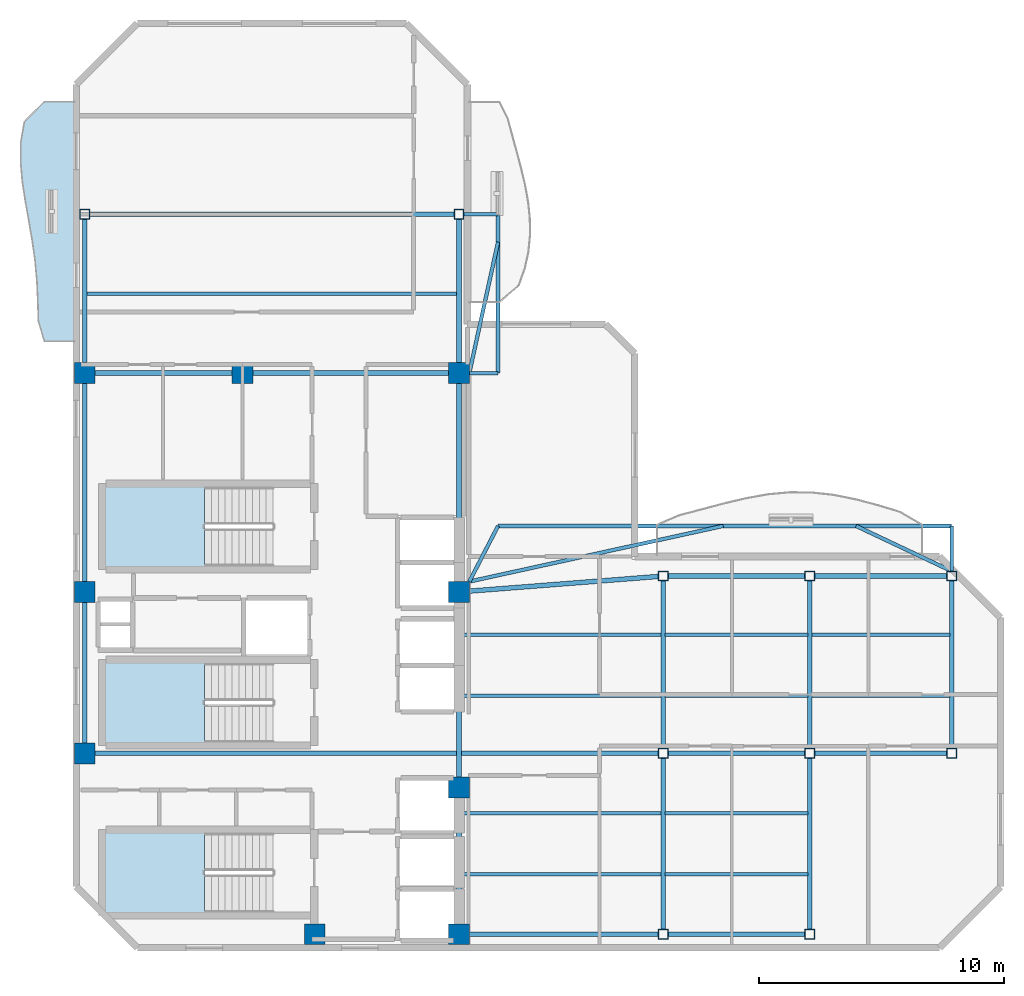
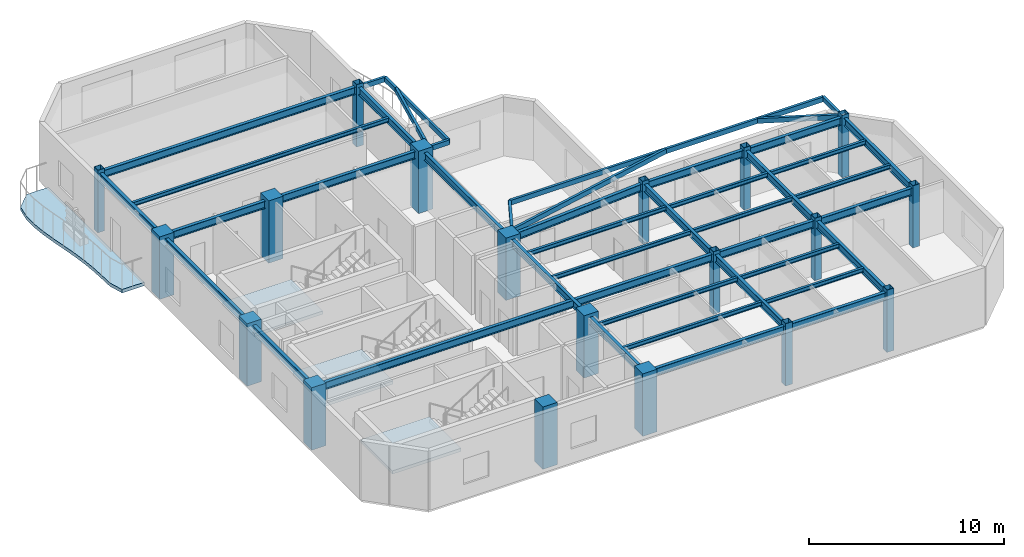
# One storey, part 1 of 7: 43 beams, 19 columns, 4 slabs, 3 elements without a shape of their own.
"""IFC4 building model written with IfcOpenShell, lengths in metres."""

from ifc_helpers import new_model, si_unit, direction, frame, origin, origin_2d, place, context, subcontext, project, spatial, polyline, rectangle, hollow_rectangle, i_section, outline, extrude, material, layer, layer_set, material_profile, profile_set, type_object, element, aggregate, save


model = new_model("IFC4")

# Units and contexts
model_context = context("Model", 3, precision=1e-05, world=origin(), true_north=direction((0.0, 1.0)))
body_context = subcontext(model_context, "Body", "Model", "MODEL_VIEW")
ifc_project = project(units=[si_unit("LENGTHUNIT", "METRE"), si_unit("AREAUNIT", "SQUARE_METRE"), si_unit("VOLUMEUNIT", "CUBIC_METRE"), si_unit("PLANEANGLEUNIT", "RADIAN"), si_unit("MASSUNIT", "GRAM", prefix="KILO")], contexts=[model_context])

# Site, building, storey
site_placement = place(None, origin())
site = spatial("IfcSite", under=ifc_project, at=site_placement, CompositionType="ELEMENT")
building_placement = place(site_placement, origin())
building = spatial("IfcBuilding", under=site, at=building_placement, Name="Mawjaban Terraces University", CompositionType="ELEMENT")
storey_placement = place(building_placement, frame((0.0, 0.0, 252.10009765625)))
storey = spatial("IfcBuildingStorey", under=building, at=storey_placement, Name="L61", CompositionType="ELEMENT", Elevation=252.10009765625)

# Columns
ifc_material_1 = material(Name="Concrete C50/60", Category="concrete")
ifc_material_profile_1 = material_profile(ifc_material_1, rectangle(XDim=0.85009765625, YDim=0.85009765625, at=origin_2d()), Name="RC850X850")
ifc_profile_set_1 = profile_set([ifc_material_profile_1], Name="Concrete C50/60")
column_type_1 = type_object("IfcColumnType", Name="Col_RC850X850", PredefinedType="COLUMN", material=ifc_profile_set_1)
for number, where, z_axis, x_axis, name in (
    (1, (31.75, 0.550048828125, 0.0), (0.0, 0.0, 1.0), (1.0, 0.0, 0.0), "L61 Column CC2"),
    (2, (37.64990234375, 0.550048828125, 0.0), (0.0, 0.0, 1.0), (1.0, 0.0, 0.0), "L61 Column CC3"),
    (3, (22.35009765625, 7.949951171875, 0.0), (0.0, 0.0, 1.0), (1.0, 0.0, 0.0), "L61 Column CC4"),
    (4, (37.64990234375, 6.550048828125, 0.0), (0.0, 0.0, 1.0), (1.0, 0.0, 0.0), "L61 Column CC5"),
    (5, (22.35009765625, 14.550048828125, 0.0), (0.0, 0.0, 1.0), (1.0, 0.0, 0.0), "L61 Column CC6"),
    (6, (37.64990234375, 14.550048828125, 0.0), (0.0, 0.0, 1.0), (1.0, 0.0, 0.0), "L61 Column CC7"),
    (7, (22.35009765625, 23.5, 0.0), (0.0, 0.0, 1.0), (1.0, 0.0, 0.0), "L61 Column CC8"),
    (8, (28.800048828125, 23.5, 0.0), (0.0, 0.0, 1.0), (1.0, 0.0, 0.0), "L61 Column CC9"),
    (9, (37.64990234375, 23.5, 0.0), (0.0, 0.0, 1.0), (1.0, 0.0, 0.0), "L61 Column CC10"),
):
    element("IfcColumn", number, at=place(storey_placement, frame(where, z_axis=z_axis, x_axis=x_axis)), inside=storey, type_object=column_type_1, Name=name, PredefinedType="COLUMN", context=body_context, shape_type="SweptSolid", body=[
        extrude(rectangle(XDim=0.85009765625, YDim=0.85009765625, at=origin_2d()), origin(), (0.0, 0.0, 1.0), 3.89990234375),
    ])
ifc_material_2 = material(Name="Steel EN 10210-1 S355J2H", Category="steel")
ifc_material_profile_2 = material_profile(ifc_material_2, hollow_rectangle(XDim=0.39990234375, YDim=0.39990234375, WallThickness=0.02001953125, at=origin_2d()), Name="SHS400X400X20")
ifc_profile_set_2 = profile_set([ifc_material_profile_2], Name="Steel EN 10210-1 S355J2H")
column_type_2 = type_object("IfcColumnType", Name="Col_SHS400X400X20", PredefinedType="COLUMN", material=ifc_profile_set_2)
for number, where, z_axis, x_axis, name in (
    (10, (46.0, 0.550048828125, 0.0), (0.0, 0.0, 1.0), (1.0, 0.0, 0.0), "L61 Column TE-460-005"),
    (11, (46.0, 7.949951171875, 0.0), (0.0, 0.0, 1.0), (1.0, 0.0, 0.0), "L61 Column TE-460-080"),
    (12, (46.0, 15.199951171875, 0.0), (0.0, 0.0, 1.0), (1.0, 0.0, 0.0), "L61 Column TE-460-152"),
    (13, (52.0, 0.550048828125, 0.0), (0.0, 0.0, 1.0), (1.0, 0.0, 0.0), "L61 Column TE-520-005"),
    (14, (52.0, 7.949951171875, 0.0), (0.0, 0.0, 1.0), (1.0, 0.0, 0.0), "L61 Column TE-520-080"),
    (15, (52.0, 15.199951171875, 0.0), (0.0, 0.0, 1.0), (1.0, 0.0, 0.0), "L61 Column TE-520-152"),
    (16, (57.800048828125, 7.949951171875, 0.0), (0.0, 0.0, 1.0), (1.0, 0.0, 0.0), "L61 Column TE-578-080"),
    (17, (57.800048828125, 15.199951171875, 0.0), (0.0, 0.0, 1.0), (1.0, 0.0, 0.0), "L61 Column TE-578-152"),
    (18, (22.35009765625, 30.0, 0.0), (0.0, 0.0, 1.0), (1.0, 0.0, 0.0), "L61 Column TN-223-300"),
    (19, (37.64990234375, 30.0, 0.0), (0.0, 0.0, 1.0), (1.0, 0.0, 0.0), "L61 Column TN-376-300"),
):
    element("IfcColumn", number, at=place(storey_placement, frame(where, z_axis=z_axis, x_axis=x_axis)), inside=storey, type_object=column_type_2, Name=name, PredefinedType="COLUMN", context=body_context, shape_type="SweptSolid", body=[
        extrude(hollow_rectangle(XDim=0.39990234375, YDim=0.39990234375, WallThickness=0.02001953125, at=origin_2d()), origin(), (0.0, 0.0, 1.0), 3.89990234375),
    ])

# Beams
ifc_material_profile_3 = material_profile(ifc_material_2, hollow_rectangle(XDim=0.14990234375, YDim=0.300048828125, WallThickness=0.012451171875, at=origin_2d()), Name="RHS300X150X12.5")
ifc_profile_set_3 = profile_set([ifc_material_profile_3], Name="Steel EN 10210-1 S355J2H")
beam_type_1 = type_object("IfcBeamType", Name="BalconyCantileverSpandrel_RHS", PredefinedType="SPANDREL", material=ifc_profile_set_3)
beam_1_placement = place(storey_placement, frame((38.074951171875, 14.97509765625, 3.539794921875), z_axis=(0.458922210771, 0.88847645127, 0.0), x_axis=(-0.88847645127, 0.458922210771, 0.0)))
element("IfcBeam", 20, at=beam_1_placement, inside=storey, type_object=beam_type_1, Name="L61 Corner Outrigger BAL-L62-N", PredefinedType="SPANDREL", context=body_context, shape_type="SweptSolid", body=[
    extrude(hollow_rectangle(XDim=0.14990234375, YDim=0.300048828125, WallThickness=0.012451171875, at=origin_2d()), origin(), (0.0, 0.0, 1.0), 2.560546875),
])
beam_2_placement = place(storey_placement, frame((57.800048828125, 15.39990234375, 3.539794921875), z_axis=(0.0, 1.0, 0.0), x_axis=(-1.0, 0.0, 0.0)))
element("IfcBeam", 21, at=beam_2_placement, inside=storey, type_object=beam_type_1, Name="L61 Exterior Outrigger BAL-L62-N.2", PredefinedType="SPANDREL", context=body_context, shape_type="SweptSolid", body=[
    extrude(hollow_rectangle(XDim=0.14990234375, YDim=0.300048828125, WallThickness=0.012451171875, at=origin_2d()), origin(), (0.0, 0.0, 1.0), 1.85009765625),
])
beam_3_placement = place(storey_placement, frame((39.25, 17.25, 3.539794921875), z_axis=(1.0, 0.0, 0.0), x_axis=(0.0, 1.0, 0.0)))
element("IfcBeam", 22, at=beam_3_placement, inside=storey, type_object=beam_type_1, Name="L61 Exterior Edge Spandrel BAL-L62-N", PredefinedType="SPANDREL", context=body_context, shape_type="SweptSolid", body=[
    extrude(hollow_rectangle(XDim=0.14990234375, YDim=0.300048828125, WallThickness=0.012451171875, at=origin_2d()), origin(), (0.0, 0.0, 1.0), 18.550048828125),
])
beam_4_placement = place(storey_placement, frame((38.074951171875, 14.97509765625, 3.539794921875), z_axis=(0.97681645873, 0.214078504185, 0.0), x_axis=(-0.214078504185, 0.97681645873, 0.0)))
element("IfcBeam", 23, at=beam_4_placement, inside=storey, type_object=beam_type_1, Name="L61 Exterior Diagonal Strut BAL-L62-N.1", PredefinedType="SPANDREL", context=body_context, shape_type="SweptSolid", body=[
    extrude(hollow_rectangle(XDim=0.14990234375, YDim=0.300048828125, WallThickness=0.012451171875, at=origin_2d()), origin(), (0.0, 0.0, 1.0), 10.62646484375),
])
beam_5_placement = place(storey_placement, frame((57.800048828125, 15.39990234375, 3.539794921875), z_axis=(-0.904130086738, 0.427257283443, 0.0), x_axis=(-0.427257283443, -0.904130086738, 0.0)))
element("IfcBeam", 24, at=beam_5_placement, inside=storey, type_object=beam_type_1, Name="L61 Exterior Diagonal Strut BAL-L62-N.2", PredefinedType="SPANDREL", context=body_context, shape_type="SweptSolid", body=[
    extrude(hollow_rectangle(XDim=0.14990234375, YDim=0.300048828125, WallThickness=0.012451171875, at=origin_2d()), origin(), (0.0, 0.0, 1.0), 4.330078125),
])
beam_6_placement = place(storey_placement, frame((38.074951171875, 23.5, 3.539794921875), z_axis=(1.0, 0.0, 0.0), x_axis=(0.0, 1.0, 0.0)))
element("IfcBeam", 25, at=beam_6_placement, inside=storey, type_object=beam_type_1, Name="L61 Exterior Outrigger BAL-L62-E.1", PredefinedType="SPANDREL", context=body_context, shape_type="SweptSolid", body=[
    extrude(hollow_rectangle(XDim=0.14990234375, YDim=0.300048828125, WallThickness=0.012451171875, at=origin_2d()), origin(), (0.0, 0.0, 1.0), 1.175048828125),
])
beam_7_placement = place(storey_placement, frame((37.85009765625, 30.0, 3.539794921875), z_axis=(1.0, 0.0, 0.0), x_axis=(0.0, 1.0, 0.0)))
element("IfcBeam", 26, at=beam_7_placement, inside=storey, type_object=beam_type_1, Name="L61 Exterior Outrigger BAL-L62-E.2", PredefinedType="SPANDREL", context=body_context, shape_type="SweptSolid", body=[
    extrude(hollow_rectangle(XDim=0.14990234375, YDim=0.300048828125, WallThickness=0.012451171875, at=origin_2d()), origin(), (0.0, 0.0, 1.0), 1.39990234375),
])
beam_8_placement = place(storey_placement, frame((39.25, 23.5, 3.539794921875), z_axis=(0.0, 1.0, 0.0), x_axis=(-1.0, 0.0, 0.0)))
element("IfcBeam", 27, at=beam_8_placement, inside=storey, type_object=beam_type_1, Name="L61 Exterior Edge Spandrel BAL-L62-E", PredefinedType="SPANDREL", context=body_context, shape_type="SweptSolid", body=[
    extrude(hollow_rectangle(XDim=0.14990234375, YDim=0.300048828125, WallThickness=0.012451171875, at=origin_2d()), origin(), (0.0, 0.0, 1.0), 6.5),
])
beam_9_placement = place(storey_placement, frame((38.074951171875, 23.5, 3.539794921875), z_axis=(0.214136046933, 0.97680384592, 0.0), x_axis=(-0.97680384592, 0.214136046933, 0.0)))
element("IfcBeam", 28, at=beam_9_placement, inside=storey, type_object=beam_type_1, Name="L61 Exterior Diagonal Strut BAL-L62-E.1", PredefinedType="SPANDREL", context=body_context, shape_type="SweptSolid", body=[
    extrude(hollow_rectangle(XDim=0.14990234375, YDim=0.300048828125, WallThickness=0.012451171875, at=origin_2d()), origin(), (0.0, 0.0, 1.0), 5.4873046875),
])
ifc_material_3 = material(Name="Steel ASTM A572 Grade 50", Category="steel")
ifc_material_profile_4 = material_profile(ifc_material_3, i_section(OverallWidth=0.19189453125, OverallDepth=0.462890625, WebThickness=0.010498046875, FlangeThickness=0.017578125, at=origin_2d()), Name="W460X89")
ifc_profile_set_4 = profile_set([ifc_material_profile_4], Name="Steel ASTM A572 Grade 50")
beam_type_2 = type_object("IfcBeamType", Name="Beam_B_W460X89", PredefinedType="BEAM", material=ifc_profile_set_4)
beam_10_placement = place(storey_placement, frame((38.074951171875, 0.550048828125, 3.4580078125), z_axis=(1.0, 0.0, 0.0), x_axis=(0.0, 1.0, 0.0)))
element("IfcBeam", 29, at=beam_10_placement, inside=storey, type_object=beam_type_2, Name="L61 Beam BM-L61-EW-01", PredefinedType="BEAM", context=body_context, shape_type="SweptSolid", body=[
    extrude(i_section(OverallWidth=0.19189453125, OverallDepth=0.462890625, WebThickness=0.010498046875, FlangeThickness=0.017578125, at=origin_2d()), origin(), (0.0, 0.0, 1.0), 7.72509765625),
])
beam_11_placement = place(storey_placement, frame((46.199951171875, 0.550048828125, 3.4580078125), z_axis=(1.0, 0.0, 0.0), x_axis=(0.0, 1.0, 0.0)))
element("IfcBeam", 30, at=beam_11_placement, inside=storey, type_object=beam_type_2, Name="L61 Beam BM-L61-EW-02", PredefinedType="BEAM", context=body_context, shape_type="SweptSolid", body=[
    extrude(i_section(OverallWidth=0.19189453125, OverallDepth=0.462890625, WebThickness=0.010498046875, FlangeThickness=0.017578125, at=origin_2d()), origin(), (0.0, 0.0, 1.0), 5.60009765625),
])
beam_12_placement = place(storey_placement, frame((22.77490234375, 7.949951171875, 3.4580078125), z_axis=(1.0, 0.0, 0.0), x_axis=(0.0, 1.0, 0.0)))
element("IfcBeam", 31, at=beam_12_placement, inside=storey, type_object=beam_type_2, Name="L61 Beam BM-L61-EW-03", PredefinedType="BEAM", context=body_context, shape_type="SweptSolid", body=[
    extrude(i_section(OverallWidth=0.19189453125, OverallDepth=0.462890625, WebThickness=0.010498046875, FlangeThickness=0.017578125, at=origin_2d()), origin(), (0.0, 0.0, 1.0), 23.025146484375),
])
beam_13_placement = place(storey_placement, frame((46.199951171875, 7.949951171875, 3.4580078125), z_axis=(1.0, 0.0, 0.0), x_axis=(0.0, 1.0, 0.0)))
element("IfcBeam", 32, at=beam_13_placement, inside=storey, type_object=beam_type_2, Name="L61 Beam BM-L61-EW-04", PredefinedType="BEAM", context=body_context, shape_type="SweptSolid", body=[
    extrude(i_section(OverallWidth=0.19189453125, OverallDepth=0.462890625, WebThickness=0.010498046875, FlangeThickness=0.017578125, at=origin_2d()), origin(), (0.0, 0.0, 1.0), 5.60009765625),
])
beam_14_placement = place(storey_placement, frame((52.199951171875, 7.949951171875, 3.4580078125), z_axis=(1.0, 0.0, 0.0), x_axis=(0.0, 1.0, 0.0)))
element("IfcBeam", 33, at=beam_14_placement, inside=storey, type_object=beam_type_2, Name="L61 Beam BM-L61-EW-05", PredefinedType="BEAM", context=body_context, shape_type="SweptSolid", body=[
    extrude(i_section(OverallWidth=0.19189453125, OverallDepth=0.462890625, WebThickness=0.010498046875, FlangeThickness=0.017578125, at=origin_2d()), origin(), (0.0, 0.0, 1.0), 5.400146484375),
])
beam_15_placement = place(storey_placement, frame((46.199951171875, 15.199951171875, 3.4580078125), z_axis=(1.0, 0.0, 0.0), x_axis=(0.0, 1.0, 0.0)))
element("IfcBeam", 34, at=beam_15_placement, inside=storey, type_object=beam_type_2, Name="L61 Beam BM-L61-EW-06", PredefinedType="BEAM", context=body_context, shape_type="SweptSolid", body=[
    extrude(i_section(OverallWidth=0.19189453125, OverallDepth=0.462890625, WebThickness=0.010498046875, FlangeThickness=0.017578125, at=origin_2d()), origin(), (0.0, 0.0, 1.0), 5.60009765625),
])
beam_16_placement = place(storey_placement, frame((52.199951171875, 15.199951171875, 3.4580078125), z_axis=(1.0, 0.0, 0.0), x_axis=(0.0, 1.0, 0.0)))
element("IfcBeam", 35, at=beam_16_placement, inside=storey, type_object=beam_type_2, Name="L61 Beam BM-L61-EW-07", PredefinedType="BEAM", context=body_context, shape_type="SweptSolid", body=[
    extrude(i_section(OverallWidth=0.19189453125, OverallDepth=0.462890625, WebThickness=0.010498046875, FlangeThickness=0.017578125, at=origin_2d()), origin(), (0.0, 0.0, 1.0), 5.400146484375),
])
beam_17_placement = place(storey_placement, frame((22.77490234375, 23.5, 3.4580078125), z_axis=(1.0, 0.0, 0.0), x_axis=(0.0, 1.0, 0.0)))
element("IfcBeam", 36, at=beam_17_placement, inside=storey, type_object=beam_type_2, Name="L61 Beam BM-L61-EW-08", PredefinedType="BEAM", context=body_context, shape_type="SweptSolid", body=[
    extrude(i_section(OverallWidth=0.19189453125, OverallDepth=0.462890625, WebThickness=0.010498046875, FlangeThickness=0.017578125, at=origin_2d()), origin(), (0.0, 0.0, 1.0), 5.60009765625),
])
beam_18_placement = place(storey_placement, frame((29.22509765625, 23.5, 3.4580078125), z_axis=(1.0, 0.0, 0.0), x_axis=(0.0, 1.0, 0.0)))
element("IfcBeam", 37, at=beam_18_placement, inside=storey, type_object=beam_type_2, Name="L61 Beam BM-L61-EW-09", PredefinedType="BEAM", context=body_context, shape_type="SweptSolid", body=[
    extrude(i_section(OverallWidth=0.19189453125, OverallDepth=0.462890625, WebThickness=0.010498046875, FlangeThickness=0.017578125, at=origin_2d()), origin(), (0.0, 0.0, 1.0), 8.0),
])
beam_19_placement = place(storey_placement, frame((22.550048828125, 30.0, 3.4580078125), z_axis=(1.0, 0.0, 0.0), x_axis=(0.0, 1.0, 0.0)))
element("IfcBeam", 38, at=beam_19_placement, inside=storey, type_object=beam_type_2, Name="L61 Beam BM-L61-EW-10", PredefinedType="BEAM", context=body_context, shape_type="SweptSolid", body=[
    extrude(i_section(OverallWidth=0.19189453125, OverallDepth=0.462890625, WebThickness=0.010498046875, FlangeThickness=0.017578125, at=origin_2d()), origin(), (0.0, 0.0, 1.0), 14.89990234375),
])
beam_20_placement = place(storey_placement, frame((22.35009765625, 8.375, 3.4580078125), z_axis=(0.0, 1.0, 0.0), x_axis=(-1.0, 0.0, 0.0)))
element("IfcBeam", 39, at=beam_20_placement, inside=storey, type_object=beam_type_2, Name="L61 Beam BM-L61-NS-01", PredefinedType="BEAM", context=body_context, shape_type="SweptSolid", body=[
    extrude(i_section(OverallWidth=0.19189453125, OverallDepth=0.462890625, WebThickness=0.010498046875, FlangeThickness=0.017578125, at=origin_2d()), origin(), (0.0, 0.0, 1.0), 5.75),
])
beam_21_placement = place(storey_placement, frame((22.35009765625, 14.97509765625, 3.4580078125), z_axis=(0.0, 1.0, 0.0), x_axis=(-1.0, 0.0, 0.0)))
element("IfcBeam", 40, at=beam_21_placement, inside=storey, type_object=beam_type_2, Name="L61 Beam BM-L61-NS-02", PredefinedType="BEAM", context=body_context, shape_type="SweptSolid", body=[
    extrude(i_section(OverallWidth=0.19189453125, OverallDepth=0.462890625, WebThickness=0.010498046875, FlangeThickness=0.017578125, at=origin_2d()), origin(), (0.0, 0.0, 1.0), 8.099853515625),
])
beam_22_placement = place(storey_placement, frame((22.35009765625, 23.925048828125, 3.4580078125), z_axis=(0.0, 1.0, 0.0), x_axis=(-1.0, 0.0, 0.0)))
element("IfcBeam", 41, at=beam_22_placement, inside=storey, type_object=beam_type_2, Name="L61 Beam BM-L61-NS-03", PredefinedType="BEAM", context=body_context, shape_type="SweptSolid", body=[
    extrude(i_section(OverallWidth=0.19189453125, OverallDepth=0.462890625, WebThickness=0.010498046875, FlangeThickness=0.017578125, at=origin_2d()), origin(), (0.0, 0.0, 1.0), 5.875),
])
beam_23_placement = place(storey_placement, frame((37.64990234375, 0.97509765625, 3.4580078125), z_axis=(0.0, 1.0, 0.0), x_axis=(-1.0, 0.0, 0.0)))
element("IfcBeam", 42, at=beam_23_placement, inside=storey, type_object=beam_type_2, Name="L61 Beam BM-L61-NS-04", PredefinedType="BEAM", context=body_context, shape_type="SweptSolid", body=[
    extrude(i_section(OverallWidth=0.19189453125, OverallDepth=0.462890625, WebThickness=0.010498046875, FlangeThickness=0.017578125, at=origin_2d()), origin(), (0.0, 0.0, 1.0), 5.14990234375),
])
beam_24_placement = place(storey_placement, frame((37.64990234375, 6.97509765625, 3.4580078125), z_axis=(0.0, 1.0, 0.0), x_axis=(-1.0, 0.0, 0.0)))
element("IfcBeam", 43, at=beam_24_placement, inside=storey, type_object=beam_type_2, Name="L61 Beam BM-L61-NS-05", PredefinedType="BEAM", context=body_context, shape_type="SweptSolid", body=[
    extrude(i_section(OverallWidth=0.19189453125, OverallDepth=0.462890625, WebThickness=0.010498046875, FlangeThickness=0.017578125, at=origin_2d()), origin(), (0.0, 0.0, 1.0), 7.14990234375),
])
beam_25_placement = place(storey_placement, frame((37.64990234375, 14.97509765625, 3.4580078125), z_axis=(0.0, 1.0, 0.0), x_axis=(-1.0, 0.0, 0.0)))
element("IfcBeam", 44, at=beam_25_placement, inside=storey, type_object=beam_type_2, Name="L61 Beam BM-L61-NS-06", PredefinedType="BEAM", context=body_context, shape_type="SweptSolid", body=[
    extrude(i_section(OverallWidth=0.19189453125, OverallDepth=0.462890625, WebThickness=0.010498046875, FlangeThickness=0.017578125, at=origin_2d()), origin(), (0.0, 0.0, 1.0), 8.099853515625),
])
beam_26_placement = place(storey_placement, frame((37.64990234375, 23.925048828125, 3.4580078125), z_axis=(0.0, 1.0, 0.0), x_axis=(-1.0, 0.0, 0.0)))
element("IfcBeam", 45, at=beam_26_placement, inside=storey, type_object=beam_type_2, Name="L61 Beam BM-L61-NS-07", PredefinedType="BEAM", context=body_context, shape_type="SweptSolid", body=[
    extrude(i_section(OverallWidth=0.19189453125, OverallDepth=0.462890625, WebThickness=0.010498046875, FlangeThickness=0.017578125, at=origin_2d()), origin(), (0.0, 0.0, 1.0), 5.875),
])
beam_27_placement = place(storey_placement, frame((46.0, 0.75, 3.4580078125), z_axis=(0.0, 1.0, 0.0), x_axis=(-1.0, 0.0, 0.0)))
element("IfcBeam", 46, at=beam_27_placement, inside=storey, type_object=beam_type_2, Name="L61 Beam BM-L61-NS-08", PredefinedType="BEAM", context=body_context, shape_type="SweptSolid", body=[
    extrude(i_section(OverallWidth=0.19189453125, OverallDepth=0.462890625, WebThickness=0.010498046875, FlangeThickness=0.017578125, at=origin_2d()), origin(), (0.0, 0.0, 1.0), 7.0),
])
beam_28_placement = place(storey_placement, frame((46.0, 8.14990234375, 3.4580078125), z_axis=(0.0, 1.0, 0.0), x_axis=(-1.0, 0.0, 0.0)))
element("IfcBeam", 47, at=beam_28_placement, inside=storey, type_object=beam_type_2, Name="L61 Beam BM-L61-NS-09", PredefinedType="BEAM", context=body_context, shape_type="SweptSolid", body=[
    extrude(i_section(OverallWidth=0.19189453125, OverallDepth=0.462890625, WebThickness=0.010498046875, FlangeThickness=0.017578125, at=origin_2d()), origin(), (0.0, 0.0, 1.0), 6.85009765625),
])
beam_29_placement = place(storey_placement, frame((52.0, 0.75, 3.4580078125), z_axis=(0.0, 1.0, 0.0), x_axis=(-1.0, 0.0, 0.0)))
element("IfcBeam", 48, at=beam_29_placement, inside=storey, type_object=beam_type_2, Name="L61 Beam BM-L61-NS-10", PredefinedType="BEAM", context=body_context, shape_type="SweptSolid", body=[
    extrude(i_section(OverallWidth=0.19189453125, OverallDepth=0.462890625, WebThickness=0.010498046875, FlangeThickness=0.017578125, at=origin_2d()), origin(), (0.0, 0.0, 1.0), 7.0),
])
for number, where, z_axis, x_axis, name in (
    (49, (52.0, 8.14990234375, 3.4580078125), (0.0, 1.0, 0.0), (-1.0, 0.0, 0.0), "L61 Beam BM-L61-NS-11"),
    (50, (57.800048828125, 8.14990234375, 3.4580078125), (0.0, 1.0, 0.0), (-1.0, 0.0, 0.0), "L61 Beam BM-L61-NS-12"),
):
    element("IfcBeam", number, at=place(storey_placement, frame(where, z_axis=z_axis, x_axis=x_axis)), inside=storey, type_object=beam_type_2, Name=name, PredefinedType="BEAM", context=body_context, shape_type="SweptSolid", body=[
        extrude(i_section(OverallWidth=0.19189453125, OverallDepth=0.462890625, WebThickness=0.010498046875, FlangeThickness=0.017578125, at=origin_2d()), origin(), (0.0, 0.0, 1.0), 6.85009765625),
    ])
beam_30_placement = place(storey_placement, frame((38.073974609375, 14.5830078125, 3.4580078125), z_axis=(0.996988151141, 0.077554023005, 0.0), x_axis=(-0.077554023005, 0.996988151141, 0.0)))
element("IfcBeam", 51, at=beam_30_placement, inside=storey, type_object=beam_type_2, Name="L61 Beam BM-L61-CTIE", PredefinedType="BEAM", context=body_context, shape_type="SweptSolid", body=[
    extrude(i_section(OverallWidth=0.19189453125, OverallDepth=0.462890625, WebThickness=0.010498046875, FlangeThickness=0.017578125, at=origin_2d()), origin(), (0.0, 0.0, 1.0), 7.75048828125),
])
ifc_material_profile_5 = material_profile(ifc_material_3, i_section(OverallWidth=0.14794921875, OverallDepth=0.26611328125, WebThickness=0.007568359375, FlangeThickness=0.012939453125, at=origin_2d()), Name="W250X45")
ifc_profile_set_5 = profile_set([ifc_material_profile_5], Name="Steel ASTM A572 Grade 50")
beam_type_3 = type_object("IfcBeamType", Name="Beam_J_W250X45", PredefinedType="JOIST", material=ifc_profile_set_5)
beam_31_placement = place(storey_placement, frame((37.72998046875, 3.0, 3.556884765625), z_axis=(1.0, 0.0, 0.0), x_axis=(0.0, 1.0, 0.0)))
element("IfcBeam", 52, at=beam_31_placement, inside=storey, type_object=beam_type_3, Name="L61 Composite Joist JST-L61-01", PredefinedType="JOIST", context=body_context, shape_type="SweptSolid", body=[
    extrude(i_section(OverallWidth=0.14794921875, OverallDepth=0.26611328125, WebThickness=0.007568359375, FlangeThickness=0.012939453125, at=origin_2d()), origin(), (0.0, 0.0, 1.0), 8.18994140625),
])
beam_32_placement = place(storey_placement, frame((46.080078125, 3.0, 3.556884765625), z_axis=(1.0, 0.0, 0.0), x_axis=(0.0, 1.0, 0.0)))
element("IfcBeam", 53, at=beam_32_placement, inside=storey, type_object=beam_type_3, Name="L61 Composite Joist JST-L61-02", PredefinedType="JOIST", context=body_context, shape_type="SweptSolid", body=[
    extrude(i_section(OverallWidth=0.14794921875, OverallDepth=0.26611328125, WebThickness=0.007568359375, FlangeThickness=0.012939453125, at=origin_2d()), origin(), (0.0, 0.0, 1.0), 5.83984375),
])
beam_33_placement = place(storey_placement, frame((37.72998046875, 5.5, 3.556884765625), z_axis=(1.0, 0.0, 0.0), x_axis=(0.0, 1.0, 0.0)))
element("IfcBeam", 54, at=beam_33_placement, inside=storey, type_object=beam_type_3, Name="L61 Composite Joist JST-L61-03", PredefinedType="JOIST", context=body_context, shape_type="SweptSolid", body=[
    extrude(i_section(OverallWidth=0.14794921875, OverallDepth=0.26611328125, WebThickness=0.007568359375, FlangeThickness=0.012939453125, at=origin_2d()), origin(), (0.0, 0.0, 1.0), 8.18994140625),
])
beam_34_placement = place(storey_placement, frame((46.080078125, 5.5, 3.556884765625), z_axis=(1.0, 0.0, 0.0), x_axis=(0.0, 1.0, 0.0)))
element("IfcBeam", 55, at=beam_34_placement, inside=storey, type_object=beam_type_3, Name="L61 Composite Joist JST-L61-04", PredefinedType="JOIST", context=body_context, shape_type="SweptSolid", body=[
    extrude(i_section(OverallWidth=0.14794921875, OverallDepth=0.26611328125, WebThickness=0.007568359375, FlangeThickness=0.012939453125, at=origin_2d()), origin(), (0.0, 0.0, 1.0), 5.83984375),
])
beam_35_placement = place(storey_placement, frame((37.72998046875, 10.300048828125, 3.556884765625), z_axis=(1.0, 0.0, 0.0), x_axis=(0.0, 1.0, 0.0)))
element("IfcBeam", 56, at=beam_35_placement, inside=storey, type_object=beam_type_3, Name="L61 Composite Joist JST-L61-05", PredefinedType="JOIST", context=body_context, shape_type="SweptSolid", body=[
    extrude(i_section(OverallWidth=0.14794921875, OverallDepth=0.26611328125, WebThickness=0.007568359375, FlangeThickness=0.012939453125, at=origin_2d()), origin(), (0.0, 0.0, 1.0), 8.18994140625),
])
beam_36_placement = place(storey_placement, frame((46.080078125, 10.300048828125, 3.556884765625), z_axis=(1.0, 0.0, 0.0), x_axis=(0.0, 1.0, 0.0)))
element("IfcBeam", 57, at=beam_36_placement, inside=storey, type_object=beam_type_3, Name="L61 Composite Joist JST-L61-06", PredefinedType="JOIST", context=body_context, shape_type="SweptSolid", body=[
    extrude(i_section(OverallWidth=0.14794921875, OverallDepth=0.26611328125, WebThickness=0.007568359375, FlangeThickness=0.012939453125, at=origin_2d()), origin(), (0.0, 0.0, 1.0), 5.83984375),
])
beam_37_placement = place(storey_placement, frame((52.080078125, 10.300048828125, 3.556884765625), z_axis=(1.0, 0.0, 0.0), x_axis=(0.0, 1.0, 0.0)))
element("IfcBeam", 58, at=beam_37_placement, inside=storey, type_object=beam_type_3, Name="L61 Composite Joist JST-L61-07", PredefinedType="JOIST", context=body_context, shape_type="SweptSolid", body=[
    extrude(i_section(OverallWidth=0.14794921875, OverallDepth=0.26611328125, WebThickness=0.007568359375, FlangeThickness=0.012939453125, at=origin_2d()), origin(), (0.0, 0.0, 1.0), 5.639892578125),
])
beam_38_placement = place(storey_placement, frame((37.72998046875, 12.800048828125, 3.556884765625), z_axis=(1.0, 0.0, 0.0), x_axis=(0.0, 1.0, 0.0)))
element("IfcBeam", 59, at=beam_38_placement, inside=storey, type_object=beam_type_3, Name="L61 Composite Joist JST-L61-08", PredefinedType="JOIST", context=body_context, shape_type="SweptSolid", body=[
    extrude(i_section(OverallWidth=0.14794921875, OverallDepth=0.26611328125, WebThickness=0.007568359375, FlangeThickness=0.012939453125, at=origin_2d()), origin(), (0.0, 0.0, 1.0), 8.18994140625),
])
beam_39_placement = place(storey_placement, frame((46.080078125, 12.800048828125, 3.556884765625), z_axis=(1.0, 0.0, 0.0), x_axis=(0.0, 1.0, 0.0)))
element("IfcBeam", 60, at=beam_39_placement, inside=storey, type_object=beam_type_3, Name="L61 Composite Joist JST-L61-09", PredefinedType="JOIST", context=body_context, shape_type="SweptSolid", body=[
    extrude(i_section(OverallWidth=0.14794921875, OverallDepth=0.26611328125, WebThickness=0.007568359375, FlangeThickness=0.012939453125, at=origin_2d()), origin(), (0.0, 0.0, 1.0), 5.83984375),
])
beam_40_placement = place(storey_placement, frame((52.080078125, 12.800048828125, 3.556884765625), z_axis=(1.0, 0.0, 0.0), x_axis=(0.0, 1.0, 0.0)))
element("IfcBeam", 61, at=beam_40_placement, inside=storey, type_object=beam_type_3, Name="L61 Composite Joist JST-L61-10", PredefinedType="JOIST", context=body_context, shape_type="SweptSolid", body=[
    extrude(i_section(OverallWidth=0.14794921875, OverallDepth=0.26611328125, WebThickness=0.007568359375, FlangeThickness=0.012939453125, at=origin_2d()), origin(), (0.0, 0.0, 1.0), 5.639892578125),
])
beam_41_placement = place(storey_placement, frame((22.429931640625, 26.75, 3.556884765625), z_axis=(1.0, 0.0, 0.0), x_axis=(0.0, 1.0, 0.0)))
element("IfcBeam", 62, at=beam_41_placement, inside=storey, type_object=beam_type_3, Name="L61 Composite Joist JST-L61-11", PredefinedType="JOIST", context=body_context, shape_type="SweptSolid", body=[
    extrude(i_section(OverallWidth=0.14794921875, OverallDepth=0.26611328125, WebThickness=0.007568359375, FlangeThickness=0.012939453125, at=origin_2d()), origin(), (0.0, 0.0, 1.0), 15.14013671875),
])

# Slab
ifc_material_4 = material(Name="Concrete C40/50", Category="concrete")
ifc_layer_1 = layer(ifc_material_4, 0.2099609375)
ifc_layer_set_1 = layer_set([ifc_layer_1], Name="Concrete C40/50")
slab_type_1 = type_object("IfcSlabType", Name="BalconySlab_210_Ext", PredefinedType="FLOOR", material=ifc_layer_set_1)
slab_1_placement = place(storey_placement, frame((0.0, 0.0, -0.210205078125)))
element("IfcSlab", 63, at=slab_1_placement, inside=storey, type_object=slab_type_1, Name="L61 Planted Balcony Slab west", PredefinedType="FLOOR", context=body_context, shape_type="SweptSolid", body=[
    extrude(outline(polyline([(22.010009765625, 24.800048828125), (22.010009765625, 34.60009765625), (20.699951171875, 34.60009765625), (19.884033203125, 33.782958984375), (19.739013671875, 32.967041015625), (19.72607421875, 32.14990234375), (19.798095703125, 31.3330078125), (19.922119140625, 30.51708984375), (20.068115234375, 29.699951171875), (20.2080078125, 28.883056640625), (20.321044921875, 28.06689453125), (20.39404296875, 27.25), (20.430908203125, 26.43310546875), (20.4560546875, 25.616943359375), (20.699951171875, 24.800048828125), (22.010009765625, 24.800048828125)])), origin(), (0.0, 0.0, 1.0), 0.210205078125),
])

# Stair, slab
stair_type = type_object("IfcStairType", Name="Stair_Core1550_H39", PredefinedType="HALF_TURN_STAIR", material=ifc_material_4)
stair_1_placement = place(storey_placement, origin())
stair_1 = element("IfcStair", 64, at=stair_1_placement, inside=storey, type_object=stair_type, Name="L61 Core Exit Stair 1", PredefinedType="HALF_TURN_STAIR")
ifc_layer_2 = layer(ifc_material_4, 0.199951171875)
ifc_layer_set_2 = layer_set([ifc_layer_2], Name="Concrete C40/50")
slab_type_2 = type_object("IfcSlabType", Name="StairLandingSlab_200", PredefinedType="LANDING", material=ifc_layer_set_2)
slab_2_placement = place(storey_placement, frame((0.0, 0.0, 1.75)))
slab_2 = element("IfcSlab", 65, at=slab_2_placement, type_object=slab_type_2, Name="ST-1 landing 1", PredefinedType="LANDING", context=body_context, shape_type="SweptSolid", body=[
    extrude(outline(polyline([(27.25, 4.699951171875), (23.199951171875, 4.699951171875), (23.199951171875, 1.449951171875), (27.25, 1.449951171875), (27.25, 4.699951171875)])), origin(), (0.0, 0.0, 1.0), 0.199951171875),
])
aggregate(stair_1, [slab_2])

stair_2_placement = place(storey_placement, origin())
stair_2 = element("IfcStair", 66, at=stair_2_placement, inside=storey, type_object=stair_type, Name="L61 Core Exit Stair 2", PredefinedType="HALF_TURN_STAIR")
slab_3_placement = place(storey_placement, frame((0.0, 0.0, 1.75)))
slab_3 = element("IfcSlab", 67, at=slab_3_placement, type_object=slab_type_2, Name="ST-2 landing 1", PredefinedType="LANDING", context=body_context, shape_type="SweptSolid", body=[
    extrude(outline(polyline([(27.25, 18.85009765625), (23.199951171875, 18.85009765625), (23.199951171875, 15.60009765625), (27.25, 15.60009765625), (27.25, 18.85009765625)])), origin(), (0.0, 0.0, 1.0), 0.199951171875),
])
aggregate(stair_2, [slab_3])

stair_3_placement = place(storey_placement, origin())
stair_3 = element("IfcStair", 68, at=stair_3_placement, inside=storey, type_object=stair_type, Name="L61 Core Exit Stair 3", PredefinedType="HALF_TURN_STAIR")
slab_4_placement = place(storey_placement, frame((0.0, 0.0, 1.75)))
slab_4 = element("IfcSlab", 69, at=slab_4_placement, type_object=slab_type_2, Name="ST-3 landing 1", PredefinedType="LANDING", context=body_context, shape_type="SweptSolid", body=[
    extrude(outline(polyline([(27.25, 11.64990234375), (23.199951171875, 11.64990234375), (23.199951171875, 8.39990234375), (27.25, 8.39990234375), (27.25, 11.64990234375)])), origin(), (0.0, 0.0, 1.0), 0.199951171875),
])
aggregate(stair_3, [slab_4])

save(model, "model.ifc")
